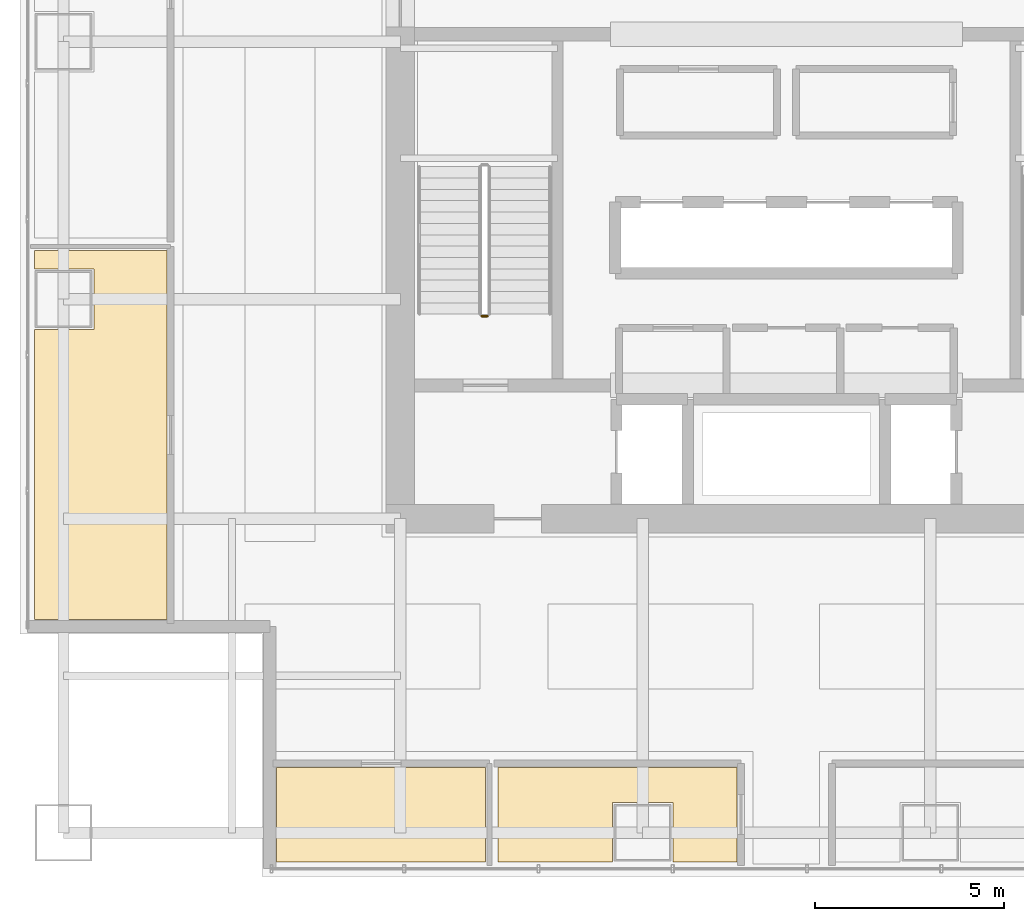
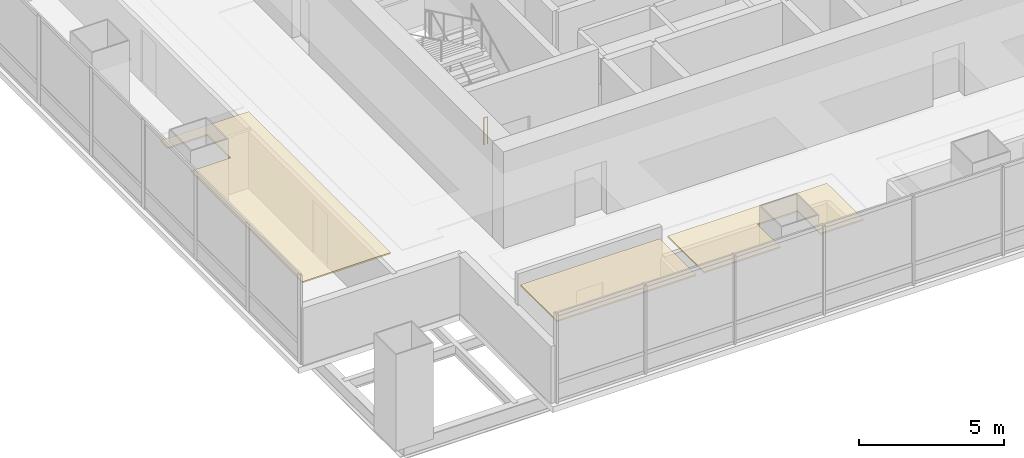
# One storey, part 30 of 33: 3 coverings, 1 railing.
"""IFC4 building model written with IfcOpenShell, lengths in metres."""

from ifc_helpers import new_model, si_unit, direction, frame, origin, origin_2d, place, context, subcontext, project, spatial, polyline, circle, outline, extrude, material, layer, layer_set, type_object, element, save


model = new_model("IFC4")

# Units and contexts
model_context = context("Model", 3, precision=1e-05, world=origin(), true_north=direction((0.0, 1.0)))
body_context = subcontext(model_context, "Body", "Model", "MODEL_VIEW")
ifc_project = project(units=[si_unit("LENGTHUNIT", "METRE"), si_unit("AREAUNIT", "SQUARE_METRE"), si_unit("VOLUMEUNIT", "CUBIC_METRE"), si_unit("PLANEANGLEUNIT", "RADIAN"), si_unit("MASSUNIT", "GRAM", prefix="KILO")], contexts=[model_context])

# Site, building, storey
site_placement = place(None, origin())
site = spatial("IfcSite", under=ifc_project, at=site_placement, CompositionType="ELEMENT")
building_placement = place(site_placement, origin())
building = spatial("IfcBuilding", under=site, at=building_placement, Name="Punatoya Terracotta Tower", CompositionType="ELEMENT")
storey_placement = place(building_placement, frame((0.0, 0.0, 121.35009765625)))
storey = spatial("IfcBuildingStorey", under=building, at=storey_placement, Name="L28", CompositionType="ELEMENT", Elevation=121.35009765625)

# Coverings
ifc_material_1 = material(Name="Acoustic Mineral Fibre Ceiling")
ifc_layer = layer(ifc_material_1, 0.06005859375)
ifc_layer_set = layer_set([ifc_layer], Name="Acoustic Mineral Fibre Ceiling")
covering_type = type_object("IfcCoveringType", Name="COV-CEIL-60", PredefinedType="CEILING", material=ifc_layer_set)
covering_1_placement = place(storey_placement, frame((0.0, 0.0, 3.199951171875)))
element("IfcCovering", 1, at=covering_1_placement, inside=storey, type_object=covering_type, Name="L28 Staff Wellness Studio Acoustic Ceiling", PredefinedType="CEILING", context=body_context, shape_type="SweptSolid", body=[
    extrude(outline(polyline([(-7.946044921875, -18.27001953125), (-7.946044921875, -15.77001953125), (-13.469970703125, -15.77001953125), (-13.469970703125, -18.27001953125), (-7.946044921875, -18.27001953125)])), origin(), (0.0, 0.0, 1.0), 0.06005859375),
])
covering_2_placement = place(storey_placement, frame((0.0, 0.0, 3.199951171875)))
element("IfcCovering", 2, at=covering_2_placement, inside=storey, type_object=covering_type, Name="L28 Open-Plan Occupational Rest Lounge Acoustic Ceiling", PredefinedType="CEILING", context=body_context, shape_type="SweptSolid", body=[
    extrude(outline(polyline([(-3.0, -18.27001953125), (-1.300048828125, -18.27001953125), (-1.300048828125, -15.77001953125), (-7.6259765625, -15.77001953125), (-7.6259765625, -18.27001953125), (-4.60009765625, -18.27001953125), (-4.60009765625, -16.699951171875), (-3.0, -16.699951171875), (-3.0, -18.27001953125)])), origin(), (0.0, 0.0, 1.0), 0.06005859375),
])
covering_3_placement = place(storey_placement, frame((0.0, 0.0, 3.199951171875)))
element("IfcCovering", 3, at=covering_3_placement, inside=storey, type_object=covering_type, Name="L28 Open-Plan Leadership Training Classroom Acoustic Ceiling", PredefinedType="CEILING", context=body_context, shape_type="SweptSolid", body=[
    extrude(outline(polyline([(-16.3701171875, -11.8701171875), (-16.3701171875, -2.110107421875), (-19.8701171875, -2.110107421875), (-19.8701171875, -2.60009765625), (-18.300048828125, -2.60009765625), (-18.300048828125, -4.199951171875), (-19.8701171875, -4.199951171875), (-19.8701171875, -11.8701171875), (-16.3701171875, -11.8701171875)])), origin(), (0.0, 0.0, 1.0), 0.06005859375),
])

# Railing
ifc_material_2 = material(Name="Steel S355", Category="steel")
railing_type = type_object("IfcRailingType", Name="RLG-GRD-1150", PredefinedType="GUARDRAIL", material=ifc_material_2)
railing_placement = place(storey_placement, frame((-7.89990234375, -3.85009765625, 0.0)))
element("IfcRailing", 4, at=railing_placement, inside=storey, type_object=railing_type, Name="L28 ST-1 stair guard 4", PredefinedType="GUARDRAIL", context=body_context, shape_type="SweptSolid", body=[
    extrude(circle(Radius=0.02392578125, at=origin_2d()), frame((0.0, 0.0, 1.1259765625), z_axis=(-1.0, 0.0, 0.0), x_axis=(0.0, -1.0, 0.0)), (0.0, 0.0, 1.0), 0.150146484375),
    extrude(circle(Radius=0.02099609375, at=origin_2d()), origin(), (0.0, 0.0, 1.0), 1.101806640625),
    extrude(circle(Radius=0.02099609375, at=origin_2d()), frame((-0.150146484375, 0.0, 0.0)), (0.0, 0.0, 1.0), 1.101806640625),
])

save(model, "model.ifc")
